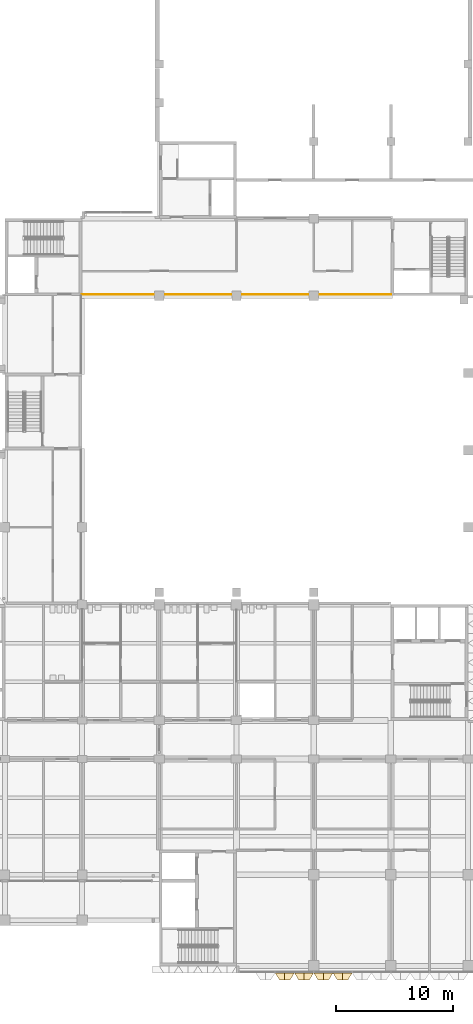
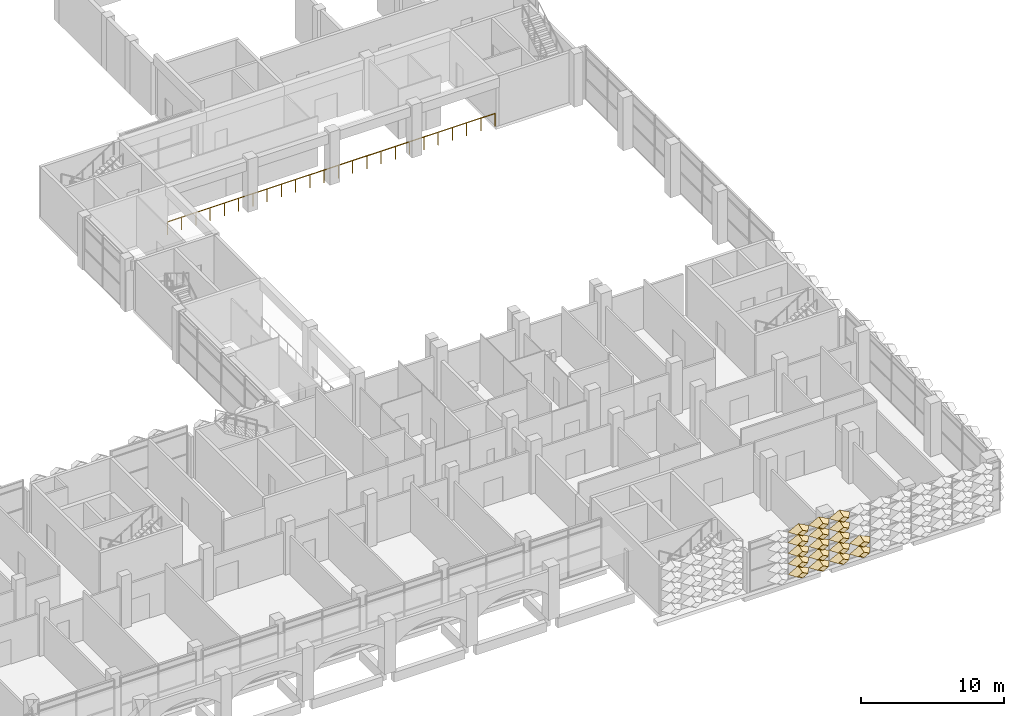
# One storey, part 58 of 87: 17 coverings, 1 railing.
"""IFC4 building model written with IfcOpenShell, lengths in metres."""

from ifc_helpers import new_model, entity, si_unit, direction, frame, origin, origin_2d, place, context, subcontext, project, spatial, circle, extrude, material, layer, layer_set, type_object, element, save


model = new_model("IFC4")

# Units and contexts
model_context = context("Model", 3, precision=1e-05, world=origin(), true_north=direction((0.0, 1.0)))
body_context = subcontext(model_context, "Body", "Model", "MODEL_VIEW")
ifc_project = project(units=[si_unit("LENGTHUNIT", "METRE"), si_unit("AREAUNIT", "SQUARE_METRE"), si_unit("VOLUMEUNIT", "CUBIC_METRE"), si_unit("PLANEANGLEUNIT", "RADIAN"), si_unit("MASSUNIT", "GRAM", prefix="KILO")], contexts=[model_context])

# Site, building, storey
site_placement = place(None, origin())
site = spatial("IfcSite", under=ifc_project, at=site_placement, CompositionType="ELEMENT")
building_placement = place(site_placement, origin())
building = spatial("IfcBuilding", under=site, at=building_placement, Name="Lantern Court Research Institute", CompositionType="ELEMENT")
storey_placement = place(building_placement, frame((0.0, 0.0, 5.39990234375)))
storey = spatial("IfcBuildingStorey", under=building, at=storey_placement, Name="L01", CompositionType="ELEMENT", Elevation=5.39990234375)

# Coverings
ifc_material_1 = material(Name="Anodised aluminium", Category="aluminium")
ifc_layer = layer(ifc_material_1, 0.01611328125)
ifc_layer_set = layer_set([ifc_layer], Name="Anodised aluminium")
covering_type = type_object("IfcCoveringType", Name="Fin cassette 1650 x 900 x 600 aluminium", PredefinedType="CLADDING", material=ifc_layer_set)
covering_1_placement = place(storey_placement, frame((63.52490234375, -8.39990234375, 0.4501953125), z_axis=(0.0, -1.0, 0.0), x_axis=(1.0, 0.0, 0.0)))
cartesian_point_1 = entity("IfcCartesianPoint", [0.824951171875, 0.0])
cartesian_point_2 = entity("IfcCartesianPoint", [0.79150390625, 0.0])
cartesian_point_3 = entity("IfcCartesianPoint", [0.44189453125, 0.0])
cartesian_point_4 = entity("IfcCartesianPoint", [0.43359375, 0.0])
element("IfcCovering", 1, at=covering_1_placement, inside=storey, type_object=covering_type, Name="Fin cassette V5S-L01 1.39", PredefinedType="CLADDING", context=body_context, shape_type="SweptSolid", body=[
    entity("IfcExtrudedAreaSolidTapered", entity("IfcArbitraryProfileDefWithVoids", "AREA", None, entity("IfcPolyline", [cartesian_point_1, entity("IfcCartesianPoint", [0.0, 0.449951171875]), entity("IfcCartesianPoint", [-0.824951171875, 0.0]), entity("IfcCartesianPoint", [0.0, -0.449951171875]), cartesian_point_1]), [entity("IfcPolyline", [cartesian_point_2, entity("IfcCartesianPoint", [0.0, 0.431884765625]), entity("IfcCartesianPoint", [-0.79150390625, 0.0]), entity("IfcCartesianPoint", [0.0, -0.431884765625]), cartesian_point_2])]), entity("IfcAxis2Placement3D", entity("IfcCartesianPoint", [0.0, 0.0, 0.0])), entity("IfcDirection", [0.0, 0.0, 1.0]), 0.60009765625, entity("IfcArbitraryProfileDefWithVoids", "AREA", None, entity("IfcPolyline", [cartesian_point_3, entity("IfcCartesianPoint", [0.0, 0.240966796875]), entity("IfcCartesianPoint", [-0.44189453125, 0.0]), entity("IfcCartesianPoint", [0.0, -0.240966796875]), cartesian_point_3]), [entity("IfcPolyline", [cartesian_point_4, entity("IfcCartesianPoint", [0.0, 0.236572265625]), entity("IfcCartesianPoint", [-0.43359375, 0.0]), entity("IfcCartesianPoint", [0.0, -0.236572265625]), cartesian_point_4])])),
])
covering_2_placement = place(storey_placement, frame((65.175048828125, -8.39990234375, 0.4501953125), z_axis=(0.0, -1.0, 0.0), x_axis=(1.0, 0.0, 0.0)))
cartesian_point_5 = entity("IfcCartesianPoint", [0.824951171875, 0.0])
cartesian_point_6 = entity("IfcCartesianPoint", [0.79150390625, 0.0])
cartesian_point_7 = entity("IfcCartesianPoint", [0.44189453125, 0.0])
cartesian_point_8 = entity("IfcCartesianPoint", [0.43359375, 0.0])
element("IfcCovering", 2, at=covering_2_placement, inside=storey, type_object=covering_type, Name="Fin cassette V5S-L01 1.40", PredefinedType="CLADDING", context=body_context, shape_type="SweptSolid", body=[
    entity("IfcExtrudedAreaSolidTapered", entity("IfcArbitraryProfileDefWithVoids", "AREA", None, entity("IfcPolyline", [cartesian_point_5, entity("IfcCartesianPoint", [0.0, 0.449951171875]), entity("IfcCartesianPoint", [-0.824951171875, 0.0]), entity("IfcCartesianPoint", [0.0, -0.449951171875]), cartesian_point_5]), [entity("IfcPolyline", [cartesian_point_6, entity("IfcCartesianPoint", [0.0, 0.431884765625]), entity("IfcCartesianPoint", [-0.79150390625, 0.0]), entity("IfcCartesianPoint", [0.0, -0.431884765625]), cartesian_point_6])]), entity("IfcAxis2Placement3D", entity("IfcCartesianPoint", [0.0, 0.0, 0.0])), entity("IfcDirection", [0.0, 0.0, 1.0]), 0.60009765625, entity("IfcArbitraryProfileDefWithVoids", "AREA", None, entity("IfcPolyline", [cartesian_point_7, entity("IfcCartesianPoint", [0.0, 0.240966796875]), entity("IfcCartesianPoint", [-0.44189453125, 0.0]), entity("IfcCartesianPoint", [0.0, -0.240966796875]), cartesian_point_7]), [entity("IfcPolyline", [cartesian_point_8, entity("IfcCartesianPoint", [0.0, 0.236572265625]), entity("IfcCartesianPoint", [-0.43359375, 0.0]), entity("IfcCartesianPoint", [0.0, -0.236572265625]), cartesian_point_8])])),
])
covering_3_placement = place(storey_placement, frame((66.824951171875, -8.39990234375, 0.4501953125), z_axis=(0.0, -1.0, 0.0), x_axis=(1.0, 0.0, 0.0)))
cartesian_point_9 = entity("IfcCartesianPoint", [0.824951171875, 0.0])
cartesian_point_10 = entity("IfcCartesianPoint", [0.79150390625, 0.0])
cartesian_point_11 = entity("IfcCartesianPoint", [0.44189453125, 0.0])
cartesian_point_12 = entity("IfcCartesianPoint", [0.43359375, 0.0])
element("IfcCovering", 3, at=covering_3_placement, inside=storey, type_object=covering_type, Name="Fin cassette V5S-L01 1.41", PredefinedType="CLADDING", context=body_context, shape_type="SweptSolid", body=[
    entity("IfcExtrudedAreaSolidTapered", entity("IfcArbitraryProfileDefWithVoids", "AREA", None, entity("IfcPolyline", [cartesian_point_9, entity("IfcCartesianPoint", [0.0, 0.449951171875]), entity("IfcCartesianPoint", [-0.824951171875, 0.0]), entity("IfcCartesianPoint", [0.0, -0.449951171875]), cartesian_point_9]), [entity("IfcPolyline", [cartesian_point_10, entity("IfcCartesianPoint", [0.0, 0.431884765625]), entity("IfcCartesianPoint", [-0.79150390625, 0.0]), entity("IfcCartesianPoint", [0.0, -0.431884765625]), cartesian_point_10])]), entity("IfcAxis2Placement3D", entity("IfcCartesianPoint", [0.0, 0.0, 0.0])), entity("IfcDirection", [0.0, 0.0, 1.0]), 0.60009765625, entity("IfcArbitraryProfileDefWithVoids", "AREA", None, entity("IfcPolyline", [cartesian_point_11, entity("IfcCartesianPoint", [0.0, 0.240966796875]), entity("IfcCartesianPoint", [-0.44189453125, 0.0]), entity("IfcCartesianPoint", [0.0, -0.240966796875]), cartesian_point_11]), [entity("IfcPolyline", [cartesian_point_12, entity("IfcCartesianPoint", [0.0, 0.236572265625]), entity("IfcCartesianPoint", [-0.43359375, 0.0]), entity("IfcCartesianPoint", [0.0, -0.236572265625]), cartesian_point_12])])),
])
covering_4_placement = place(storey_placement, frame((68.47509765625, -8.39990234375, 0.4501953125), z_axis=(0.0, -1.0, 0.0), x_axis=(1.0, 0.0, 0.0)))
cartesian_point_13 = entity("IfcCartesianPoint", [0.824951171875, 0.0])
cartesian_point_14 = entity("IfcCartesianPoint", [0.79150390625, 0.0])
cartesian_point_15 = entity("IfcCartesianPoint", [0.44189453125, 0.0])
cartesian_point_16 = entity("IfcCartesianPoint", [0.43359375, 0.0])
element("IfcCovering", 4, at=covering_4_placement, inside=storey, type_object=covering_type, Name="Fin cassette V5S-L01 1.42", PredefinedType="CLADDING", context=body_context, shape_type="SweptSolid", body=[
    entity("IfcExtrudedAreaSolidTapered", entity("IfcArbitraryProfileDefWithVoids", "AREA", None, entity("IfcPolyline", [cartesian_point_13, entity("IfcCartesianPoint", [0.0, 0.449951171875]), entity("IfcCartesianPoint", [-0.824951171875, 0.0]), entity("IfcCartesianPoint", [0.0, -0.449951171875]), cartesian_point_13]), [entity("IfcPolyline", [cartesian_point_14, entity("IfcCartesianPoint", [0.0, 0.431884765625]), entity("IfcCartesianPoint", [-0.79150390625, 0.0]), entity("IfcCartesianPoint", [0.0, -0.431884765625]), cartesian_point_14])]), entity("IfcAxis2Placement3D", entity("IfcCartesianPoint", [0.0, 0.0, 0.0])), entity("IfcDirection", [0.0, 0.0, 1.0]), 0.60009765625, entity("IfcArbitraryProfileDefWithVoids", "AREA", None, entity("IfcPolyline", [cartesian_point_15, entity("IfcCartesianPoint", [0.0, 0.240966796875]), entity("IfcCartesianPoint", [-0.44189453125, 0.0]), entity("IfcCartesianPoint", [0.0, -0.240966796875]), cartesian_point_15]), [entity("IfcPolyline", [cartesian_point_16, entity("IfcCartesianPoint", [0.0, 0.236572265625]), entity("IfcCartesianPoint", [-0.43359375, 0.0]), entity("IfcCartesianPoint", [0.0, -0.236572265625]), cartesian_point_16])])),
])
covering_5_placement = place(storey_placement, frame((63.52490234375, -8.39990234375, 1.35009765625), z_axis=(0.0, -1.0, 0.0), x_axis=(1.0, 0.0, 0.0)))
cartesian_point_17 = entity("IfcCartesianPoint", [0.824951171875, 0.0])
cartesian_point_18 = entity("IfcCartesianPoint", [0.79150390625, 0.0])
cartesian_point_19 = entity("IfcCartesianPoint", [0.44189453125, 0.0])
cartesian_point_20 = entity("IfcCartesianPoint", [0.43359375, 0.0])
element("IfcCovering", 5, at=covering_5_placement, inside=storey, type_object=covering_type, Name="Fin cassette V5S-L01 2.39", PredefinedType="CLADDING", context=body_context, shape_type="SweptSolid", body=[
    entity("IfcExtrudedAreaSolidTapered", entity("IfcArbitraryProfileDefWithVoids", "AREA", None, entity("IfcPolyline", [cartesian_point_17, entity("IfcCartesianPoint", [0.0, 0.449951171875]), entity("IfcCartesianPoint", [-0.824951171875, 0.0]), entity("IfcCartesianPoint", [0.0, -0.449951171875]), cartesian_point_17]), [entity("IfcPolyline", [cartesian_point_18, entity("IfcCartesianPoint", [0.0, 0.431884765625]), entity("IfcCartesianPoint", [-0.79150390625, 0.0]), entity("IfcCartesianPoint", [0.0, -0.431884765625]), cartesian_point_18])]), entity("IfcAxis2Placement3D", entity("IfcCartesianPoint", [0.0, 0.0, 0.0])), entity("IfcDirection", [0.0, 0.0, 1.0]), 0.60009765625, entity("IfcArbitraryProfileDefWithVoids", "AREA", None, entity("IfcPolyline", [cartesian_point_19, entity("IfcCartesianPoint", [0.0, 0.240966796875]), entity("IfcCartesianPoint", [-0.44189453125, 0.0]), entity("IfcCartesianPoint", [0.0, -0.240966796875]), cartesian_point_19]), [entity("IfcPolyline", [cartesian_point_20, entity("IfcCartesianPoint", [0.0, 0.236572265625]), entity("IfcCartesianPoint", [-0.43359375, 0.0]), entity("IfcCartesianPoint", [0.0, -0.236572265625]), cartesian_point_20])])),
])
covering_6_placement = place(storey_placement, frame((65.175048828125, -8.39990234375, 1.35009765625), z_axis=(0.0, -1.0, 0.0), x_axis=(1.0, 0.0, 0.0)))
cartesian_point_21 = entity("IfcCartesianPoint", [0.824951171875, 0.0])
cartesian_point_22 = entity("IfcCartesianPoint", [0.79150390625, 0.0])
cartesian_point_23 = entity("IfcCartesianPoint", [0.44189453125, 0.0])
cartesian_point_24 = entity("IfcCartesianPoint", [0.43359375, 0.0])
element("IfcCovering", 6, at=covering_6_placement, inside=storey, type_object=covering_type, Name="Fin cassette V5S-L01 2.40", PredefinedType="CLADDING", context=body_context, shape_type="SweptSolid", body=[
    entity("IfcExtrudedAreaSolidTapered", entity("IfcArbitraryProfileDefWithVoids", "AREA", None, entity("IfcPolyline", [cartesian_point_21, entity("IfcCartesianPoint", [0.0, 0.449951171875]), entity("IfcCartesianPoint", [-0.824951171875, 0.0]), entity("IfcCartesianPoint", [0.0, -0.449951171875]), cartesian_point_21]), [entity("IfcPolyline", [cartesian_point_22, entity("IfcCartesianPoint", [0.0, 0.431884765625]), entity("IfcCartesianPoint", [-0.79150390625, 0.0]), entity("IfcCartesianPoint", [0.0, -0.431884765625]), cartesian_point_22])]), entity("IfcAxis2Placement3D", entity("IfcCartesianPoint", [0.0, 0.0, 0.0])), entity("IfcDirection", [0.0, 0.0, 1.0]), 0.60009765625, entity("IfcArbitraryProfileDefWithVoids", "AREA", None, entity("IfcPolyline", [cartesian_point_23, entity("IfcCartesianPoint", [0.0, 0.240966796875]), entity("IfcCartesianPoint", [-0.44189453125, 0.0]), entity("IfcCartesianPoint", [0.0, -0.240966796875]), cartesian_point_23]), [entity("IfcPolyline", [cartesian_point_24, entity("IfcCartesianPoint", [0.0, 0.236572265625]), entity("IfcCartesianPoint", [-0.43359375, 0.0]), entity("IfcCartesianPoint", [0.0, -0.236572265625]), cartesian_point_24])])),
])
covering_7_placement = place(storey_placement, frame((66.824951171875, -8.39990234375, 1.35009765625), z_axis=(0.0, -1.0, 0.0), x_axis=(1.0, 0.0, 0.0)))
cartesian_point_25 = entity("IfcCartesianPoint", [0.824951171875, 0.0])
cartesian_point_26 = entity("IfcCartesianPoint", [0.79150390625, 0.0])
cartesian_point_27 = entity("IfcCartesianPoint", [0.44189453125, 0.0])
cartesian_point_28 = entity("IfcCartesianPoint", [0.43359375, 0.0])
element("IfcCovering", 7, at=covering_7_placement, inside=storey, type_object=covering_type, Name="Fin cassette V5S-L01 2.41", PredefinedType="CLADDING", context=body_context, shape_type="SweptSolid", body=[
    entity("IfcExtrudedAreaSolidTapered", entity("IfcArbitraryProfileDefWithVoids", "AREA", None, entity("IfcPolyline", [cartesian_point_25, entity("IfcCartesianPoint", [0.0, 0.449951171875]), entity("IfcCartesianPoint", [-0.824951171875, 0.0]), entity("IfcCartesianPoint", [0.0, -0.449951171875]), cartesian_point_25]), [entity("IfcPolyline", [cartesian_point_26, entity("IfcCartesianPoint", [0.0, 0.431884765625]), entity("IfcCartesianPoint", [-0.79150390625, 0.0]), entity("IfcCartesianPoint", [0.0, -0.431884765625]), cartesian_point_26])]), entity("IfcAxis2Placement3D", entity("IfcCartesianPoint", [0.0, 0.0, 0.0])), entity("IfcDirection", [0.0, 0.0, 1.0]), 0.60009765625, entity("IfcArbitraryProfileDefWithVoids", "AREA", None, entity("IfcPolyline", [cartesian_point_27, entity("IfcCartesianPoint", [0.0, 0.240966796875]), entity("IfcCartesianPoint", [-0.44189453125, 0.0]), entity("IfcCartesianPoint", [0.0, -0.240966796875]), cartesian_point_27]), [entity("IfcPolyline", [cartesian_point_28, entity("IfcCartesianPoint", [0.0, 0.236572265625]), entity("IfcCartesianPoint", [-0.43359375, 0.0]), entity("IfcCartesianPoint", [0.0, -0.236572265625]), cartesian_point_28])])),
])
covering_8_placement = place(storey_placement, frame((68.47509765625, -8.39990234375, 1.35009765625), z_axis=(0.0, -1.0, 0.0), x_axis=(1.0, 0.0, 0.0)))
cartesian_point_29 = entity("IfcCartesianPoint", [0.824951171875, 0.0])
cartesian_point_30 = entity("IfcCartesianPoint", [0.79150390625, 0.0])
cartesian_point_31 = entity("IfcCartesianPoint", [0.44189453125, 0.0])
cartesian_point_32 = entity("IfcCartesianPoint", [0.43359375, 0.0])
element("IfcCovering", 8, at=covering_8_placement, inside=storey, type_object=covering_type, Name="Fin cassette V5S-L01 2.42", PredefinedType="CLADDING", context=body_context, shape_type="SweptSolid", body=[
    entity("IfcExtrudedAreaSolidTapered", entity("IfcArbitraryProfileDefWithVoids", "AREA", None, entity("IfcPolyline", [cartesian_point_29, entity("IfcCartesianPoint", [0.0, 0.449951171875]), entity("IfcCartesianPoint", [-0.824951171875, 0.0]), entity("IfcCartesianPoint", [0.0, -0.449951171875]), cartesian_point_29]), [entity("IfcPolyline", [cartesian_point_30, entity("IfcCartesianPoint", [0.0, 0.431884765625]), entity("IfcCartesianPoint", [-0.79150390625, 0.0]), entity("IfcCartesianPoint", [0.0, -0.431884765625]), cartesian_point_30])]), entity("IfcAxis2Placement3D", entity("IfcCartesianPoint", [0.0, 0.0, 0.0])), entity("IfcDirection", [0.0, 0.0, 1.0]), 0.60009765625, entity("IfcArbitraryProfileDefWithVoids", "AREA", None, entity("IfcPolyline", [cartesian_point_31, entity("IfcCartesianPoint", [0.0, 0.240966796875]), entity("IfcCartesianPoint", [-0.44189453125, 0.0]), entity("IfcCartesianPoint", [0.0, -0.240966796875]), cartesian_point_31]), [entity("IfcPolyline", [cartesian_point_32, entity("IfcCartesianPoint", [0.0, 0.236572265625]), entity("IfcCartesianPoint", [-0.43359375, 0.0]), entity("IfcCartesianPoint", [0.0, -0.236572265625]), cartesian_point_32])])),
])
covering_9_placement = place(storey_placement, frame((63.52490234375, -8.39990234375, 2.25), z_axis=(0.0, -1.0, 0.0), x_axis=(1.0, 0.0, 0.0)))
cartesian_point_33 = entity("IfcCartesianPoint", [0.824951171875, 0.0])
cartesian_point_34 = entity("IfcCartesianPoint", [0.79150390625, 0.0])
cartesian_point_35 = entity("IfcCartesianPoint", [0.44189453125, 0.0])
cartesian_point_36 = entity("IfcCartesianPoint", [0.43359375, 0.0])
element("IfcCovering", 9, at=covering_9_placement, inside=storey, type_object=covering_type, Name="Fin cassette V5S-L01 3.39", PredefinedType="CLADDING", context=body_context, shape_type="SweptSolid", body=[
    entity("IfcExtrudedAreaSolidTapered", entity("IfcArbitraryProfileDefWithVoids", "AREA", None, entity("IfcPolyline", [cartesian_point_33, entity("IfcCartesianPoint", [0.0, 0.449951171875]), entity("IfcCartesianPoint", [-0.824951171875, 0.0]), entity("IfcCartesianPoint", [0.0, -0.449951171875]), cartesian_point_33]), [entity("IfcPolyline", [cartesian_point_34, entity("IfcCartesianPoint", [0.0, 0.431884765625]), entity("IfcCartesianPoint", [-0.79150390625, 0.0]), entity("IfcCartesianPoint", [0.0, -0.431884765625]), cartesian_point_34])]), entity("IfcAxis2Placement3D", entity("IfcCartesianPoint", [0.0, 0.0, 0.0])), entity("IfcDirection", [0.0, 0.0, 1.0]), 0.60009765625, entity("IfcArbitraryProfileDefWithVoids", "AREA", None, entity("IfcPolyline", [cartesian_point_35, entity("IfcCartesianPoint", [0.0, 0.240966796875]), entity("IfcCartesianPoint", [-0.44189453125, 0.0]), entity("IfcCartesianPoint", [0.0, -0.240966796875]), cartesian_point_35]), [entity("IfcPolyline", [cartesian_point_36, entity("IfcCartesianPoint", [0.0, 0.236572265625]), entity("IfcCartesianPoint", [-0.43359375, 0.0]), entity("IfcCartesianPoint", [0.0, -0.236572265625]), cartesian_point_36])])),
])
covering_10_placement = place(storey_placement, frame((65.175048828125, -8.39990234375, 2.25), z_axis=(0.0, -1.0, 0.0), x_axis=(1.0, 0.0, 0.0)))
cartesian_point_37 = entity("IfcCartesianPoint", [0.824951171875, 0.0])
cartesian_point_38 = entity("IfcCartesianPoint", [0.79150390625, 0.0])
cartesian_point_39 = entity("IfcCartesianPoint", [0.44189453125, 0.0])
cartesian_point_40 = entity("IfcCartesianPoint", [0.43359375, 0.0])
element("IfcCovering", 10, at=covering_10_placement, inside=storey, type_object=covering_type, Name="Fin cassette V5S-L01 3.40", PredefinedType="CLADDING", context=body_context, shape_type="SweptSolid", body=[
    entity("IfcExtrudedAreaSolidTapered", entity("IfcArbitraryProfileDefWithVoids", "AREA", None, entity("IfcPolyline", [cartesian_point_37, entity("IfcCartesianPoint", [0.0, 0.449951171875]), entity("IfcCartesianPoint", [-0.824951171875, 0.0]), entity("IfcCartesianPoint", [0.0, -0.449951171875]), cartesian_point_37]), [entity("IfcPolyline", [cartesian_point_38, entity("IfcCartesianPoint", [0.0, 0.431884765625]), entity("IfcCartesianPoint", [-0.79150390625, 0.0]), entity("IfcCartesianPoint", [0.0, -0.431884765625]), cartesian_point_38])]), entity("IfcAxis2Placement3D", entity("IfcCartesianPoint", [0.0, 0.0, 0.0])), entity("IfcDirection", [0.0, 0.0, 1.0]), 0.60009765625, entity("IfcArbitraryProfileDefWithVoids", "AREA", None, entity("IfcPolyline", [cartesian_point_39, entity("IfcCartesianPoint", [0.0, 0.240966796875]), entity("IfcCartesianPoint", [-0.44189453125, 0.0]), entity("IfcCartesianPoint", [0.0, -0.240966796875]), cartesian_point_39]), [entity("IfcPolyline", [cartesian_point_40, entity("IfcCartesianPoint", [0.0, 0.236572265625]), entity("IfcCartesianPoint", [-0.43359375, 0.0]), entity("IfcCartesianPoint", [0.0, -0.236572265625]), cartesian_point_40])])),
])
covering_11_placement = place(storey_placement, frame((66.824951171875, -8.39990234375, 2.25), z_axis=(0.0, -1.0, 0.0), x_axis=(1.0, 0.0, 0.0)))
cartesian_point_41 = entity("IfcCartesianPoint", [0.824951171875, 0.0])
cartesian_point_42 = entity("IfcCartesianPoint", [0.79150390625, 0.0])
cartesian_point_43 = entity("IfcCartesianPoint", [0.44189453125, 0.0])
cartesian_point_44 = entity("IfcCartesianPoint", [0.43359375, 0.0])
element("IfcCovering", 11, at=covering_11_placement, inside=storey, type_object=covering_type, Name="Fin cassette V5S-L01 3.41", PredefinedType="CLADDING", context=body_context, shape_type="SweptSolid", body=[
    entity("IfcExtrudedAreaSolidTapered", entity("IfcArbitraryProfileDefWithVoids", "AREA", None, entity("IfcPolyline", [cartesian_point_41, entity("IfcCartesianPoint", [0.0, 0.449951171875]), entity("IfcCartesianPoint", [-0.824951171875, 0.0]), entity("IfcCartesianPoint", [0.0, -0.449951171875]), cartesian_point_41]), [entity("IfcPolyline", [cartesian_point_42, entity("IfcCartesianPoint", [0.0, 0.431884765625]), entity("IfcCartesianPoint", [-0.79150390625, 0.0]), entity("IfcCartesianPoint", [0.0, -0.431884765625]), cartesian_point_42])]), entity("IfcAxis2Placement3D", entity("IfcCartesianPoint", [0.0, 0.0, 0.0])), entity("IfcDirection", [0.0, 0.0, 1.0]), 0.60009765625, entity("IfcArbitraryProfileDefWithVoids", "AREA", None, entity("IfcPolyline", [cartesian_point_43, entity("IfcCartesianPoint", [0.0, 0.240966796875]), entity("IfcCartesianPoint", [-0.44189453125, 0.0]), entity("IfcCartesianPoint", [0.0, -0.240966796875]), cartesian_point_43]), [entity("IfcPolyline", [cartesian_point_44, entity("IfcCartesianPoint", [0.0, 0.236572265625]), entity("IfcCartesianPoint", [-0.43359375, 0.0]), entity("IfcCartesianPoint", [0.0, -0.236572265625]), cartesian_point_44])])),
])
covering_12_placement = place(storey_placement, frame((63.52490234375, -8.39990234375, 3.150146484375), z_axis=(0.0, -1.0, 0.0), x_axis=(1.0, 0.0, 0.0)))
cartesian_point_45 = entity("IfcCartesianPoint", [0.824951171875, 0.0])
cartesian_point_46 = entity("IfcCartesianPoint", [0.79150390625, 0.0])
cartesian_point_47 = entity("IfcCartesianPoint", [0.44189453125, 0.0])
cartesian_point_48 = entity("IfcCartesianPoint", [0.43359375, 0.0])
element("IfcCovering", 12, at=covering_12_placement, inside=storey, type_object=covering_type, Name="Fin cassette V5S-L01 4.39", PredefinedType="CLADDING", context=body_context, shape_type="SweptSolid", body=[
    entity("IfcExtrudedAreaSolidTapered", entity("IfcArbitraryProfileDefWithVoids", "AREA", None, entity("IfcPolyline", [cartesian_point_45, entity("IfcCartesianPoint", [0.0, 0.449951171875]), entity("IfcCartesianPoint", [-0.824951171875, 0.0]), entity("IfcCartesianPoint", [0.0, -0.449951171875]), cartesian_point_45]), [entity("IfcPolyline", [cartesian_point_46, entity("IfcCartesianPoint", [0.0, 0.431884765625]), entity("IfcCartesianPoint", [-0.79150390625, 0.0]), entity("IfcCartesianPoint", [0.0, -0.431884765625]), cartesian_point_46])]), entity("IfcAxis2Placement3D", entity("IfcCartesianPoint", [0.0, 0.0, 0.0])), entity("IfcDirection", [0.0, 0.0, 1.0]), 0.60009765625, entity("IfcArbitraryProfileDefWithVoids", "AREA", None, entity("IfcPolyline", [cartesian_point_47, entity("IfcCartesianPoint", [0.0, 0.240966796875]), entity("IfcCartesianPoint", [-0.44189453125, 0.0]), entity("IfcCartesianPoint", [0.0, -0.240966796875]), cartesian_point_47]), [entity("IfcPolyline", [cartesian_point_48, entity("IfcCartesianPoint", [0.0, 0.236572265625]), entity("IfcCartesianPoint", [-0.43359375, 0.0]), entity("IfcCartesianPoint", [0.0, -0.236572265625]), cartesian_point_48])])),
])
covering_13_placement = place(storey_placement, frame((65.175048828125, -8.39990234375, 3.150146484375), z_axis=(0.0, -1.0, 0.0), x_axis=(1.0, 0.0, 0.0)))
cartesian_point_49 = entity("IfcCartesianPoint", [0.824951171875, 0.0])
cartesian_point_50 = entity("IfcCartesianPoint", [0.79150390625, 0.0])
cartesian_point_51 = entity("IfcCartesianPoint", [0.44189453125, 0.0])
cartesian_point_52 = entity("IfcCartesianPoint", [0.43359375, 0.0])
element("IfcCovering", 13, at=covering_13_placement, inside=storey, type_object=covering_type, Name="Fin cassette V5S-L01 4.40", PredefinedType="CLADDING", context=body_context, shape_type="SweptSolid", body=[
    entity("IfcExtrudedAreaSolidTapered", entity("IfcArbitraryProfileDefWithVoids", "AREA", None, entity("IfcPolyline", [cartesian_point_49, entity("IfcCartesianPoint", [0.0, 0.449951171875]), entity("IfcCartesianPoint", [-0.824951171875, 0.0]), entity("IfcCartesianPoint", [0.0, -0.449951171875]), cartesian_point_49]), [entity("IfcPolyline", [cartesian_point_50, entity("IfcCartesianPoint", [0.0, 0.431884765625]), entity("IfcCartesianPoint", [-0.79150390625, 0.0]), entity("IfcCartesianPoint", [0.0, -0.431884765625]), cartesian_point_50])]), entity("IfcAxis2Placement3D", entity("IfcCartesianPoint", [0.0, 0.0, 0.0])), entity("IfcDirection", [0.0, 0.0, 1.0]), 0.60009765625, entity("IfcArbitraryProfileDefWithVoids", "AREA", None, entity("IfcPolyline", [cartesian_point_51, entity("IfcCartesianPoint", [0.0, 0.240966796875]), entity("IfcCartesianPoint", [-0.44189453125, 0.0]), entity("IfcCartesianPoint", [0.0, -0.240966796875]), cartesian_point_51]), [entity("IfcPolyline", [cartesian_point_52, entity("IfcCartesianPoint", [0.0, 0.236572265625]), entity("IfcCartesianPoint", [-0.43359375, 0.0]), entity("IfcCartesianPoint", [0.0, -0.236572265625]), cartesian_point_52])])),
])
covering_14_placement = place(storey_placement, frame((66.824951171875, -8.39990234375, 3.150146484375), z_axis=(0.0, -1.0, 0.0), x_axis=(1.0, 0.0, 0.0)))
cartesian_point_53 = entity("IfcCartesianPoint", [0.824951171875, 0.0])
cartesian_point_54 = entity("IfcCartesianPoint", [0.79150390625, 0.0])
cartesian_point_55 = entity("IfcCartesianPoint", [0.44189453125, 0.0])
cartesian_point_56 = entity("IfcCartesianPoint", [0.43359375, 0.0])
element("IfcCovering", 14, at=covering_14_placement, inside=storey, type_object=covering_type, Name="Fin cassette V5S-L01 4.41", PredefinedType="CLADDING", context=body_context, shape_type="SweptSolid", body=[
    entity("IfcExtrudedAreaSolidTapered", entity("IfcArbitraryProfileDefWithVoids", "AREA", None, entity("IfcPolyline", [cartesian_point_53, entity("IfcCartesianPoint", [0.0, 0.449951171875]), entity("IfcCartesianPoint", [-0.824951171875, 0.0]), entity("IfcCartesianPoint", [0.0, -0.449951171875]), cartesian_point_53]), [entity("IfcPolyline", [cartesian_point_54, entity("IfcCartesianPoint", [0.0, 0.431884765625]), entity("IfcCartesianPoint", [-0.79150390625, 0.0]), entity("IfcCartesianPoint", [0.0, -0.431884765625]), cartesian_point_54])]), entity("IfcAxis2Placement3D", entity("IfcCartesianPoint", [0.0, 0.0, 0.0])), entity("IfcDirection", [0.0, 0.0, 1.0]), 0.60009765625, entity("IfcArbitraryProfileDefWithVoids", "AREA", None, entity("IfcPolyline", [cartesian_point_55, entity("IfcCartesianPoint", [0.0, 0.240966796875]), entity("IfcCartesianPoint", [-0.44189453125, 0.0]), entity("IfcCartesianPoint", [0.0, -0.240966796875]), cartesian_point_55]), [entity("IfcPolyline", [cartesian_point_56, entity("IfcCartesianPoint", [0.0, 0.236572265625]), entity("IfcCartesianPoint", [-0.43359375, 0.0]), entity("IfcCartesianPoint", [0.0, -0.236572265625]), cartesian_point_56])])),
])
covering_15_placement = place(storey_placement, frame((63.52490234375, -8.39990234375, 4.050048828125), z_axis=(0.0, -1.0, 0.0), x_axis=(1.0, 0.0, 0.0)))
cartesian_point_57 = entity("IfcCartesianPoint", [0.824951171875, 0.0])
cartesian_point_58 = entity("IfcCartesianPoint", [0.79150390625, 0.0])
cartesian_point_59 = entity("IfcCartesianPoint", [0.44189453125, 0.0])
cartesian_point_60 = entity("IfcCartesianPoint", [0.43359375, 0.0])
element("IfcCovering", 15, at=covering_15_placement, inside=storey, type_object=covering_type, Name="Fin cassette V5S-L01 5.39", PredefinedType="CLADDING", context=body_context, shape_type="SweptSolid", body=[
    entity("IfcExtrudedAreaSolidTapered", entity("IfcArbitraryProfileDefWithVoids", "AREA", None, entity("IfcPolyline", [cartesian_point_57, entity("IfcCartesianPoint", [0.0, 0.449951171875]), entity("IfcCartesianPoint", [-0.824951171875, 0.0]), entity("IfcCartesianPoint", [0.0, -0.449951171875]), cartesian_point_57]), [entity("IfcPolyline", [cartesian_point_58, entity("IfcCartesianPoint", [0.0, 0.431884765625]), entity("IfcCartesianPoint", [-0.79150390625, 0.0]), entity("IfcCartesianPoint", [0.0, -0.431884765625]), cartesian_point_58])]), entity("IfcAxis2Placement3D", entity("IfcCartesianPoint", [0.0, 0.0, 0.0])), entity("IfcDirection", [0.0, 0.0, 1.0]), 0.60009765625, entity("IfcArbitraryProfileDefWithVoids", "AREA", None, entity("IfcPolyline", [cartesian_point_59, entity("IfcCartesianPoint", [0.0, 0.240966796875]), entity("IfcCartesianPoint", [-0.44189453125, 0.0]), entity("IfcCartesianPoint", [0.0, -0.240966796875]), cartesian_point_59]), [entity("IfcPolyline", [cartesian_point_60, entity("IfcCartesianPoint", [0.0, 0.236572265625]), entity("IfcCartesianPoint", [-0.43359375, 0.0]), entity("IfcCartesianPoint", [0.0, -0.236572265625]), cartesian_point_60])])),
])
covering_16_placement = place(storey_placement, frame((65.175048828125, -8.39990234375, 4.050048828125), z_axis=(0.0, -1.0, 0.0), x_axis=(1.0, 0.0, 0.0)))
cartesian_point_61 = entity("IfcCartesianPoint", [0.824951171875, 0.0])
cartesian_point_62 = entity("IfcCartesianPoint", [0.79150390625, 0.0])
cartesian_point_63 = entity("IfcCartesianPoint", [0.44189453125, 0.0])
cartesian_point_64 = entity("IfcCartesianPoint", [0.43359375, 0.0])
element("IfcCovering", 16, at=covering_16_placement, inside=storey, type_object=covering_type, Name="Fin cassette V5S-L01 5.40", PredefinedType="CLADDING", context=body_context, shape_type="SweptSolid", body=[
    entity("IfcExtrudedAreaSolidTapered", entity("IfcArbitraryProfileDefWithVoids", "AREA", None, entity("IfcPolyline", [cartesian_point_61, entity("IfcCartesianPoint", [0.0, 0.449951171875]), entity("IfcCartesianPoint", [-0.824951171875, 0.0]), entity("IfcCartesianPoint", [0.0, -0.449951171875]), cartesian_point_61]), [entity("IfcPolyline", [cartesian_point_62, entity("IfcCartesianPoint", [0.0, 0.431884765625]), entity("IfcCartesianPoint", [-0.79150390625, 0.0]), entity("IfcCartesianPoint", [0.0, -0.431884765625]), cartesian_point_62])]), entity("IfcAxis2Placement3D", entity("IfcCartesianPoint", [0.0, 0.0, 0.0])), entity("IfcDirection", [0.0, 0.0, 1.0]), 0.60009765625, entity("IfcArbitraryProfileDefWithVoids", "AREA", None, entity("IfcPolyline", [cartesian_point_63, entity("IfcCartesianPoint", [0.0, 0.240966796875]), entity("IfcCartesianPoint", [-0.44189453125, 0.0]), entity("IfcCartesianPoint", [0.0, -0.240966796875]), cartesian_point_63]), [entity("IfcPolyline", [cartesian_point_64, entity("IfcCartesianPoint", [0.0, 0.236572265625]), entity("IfcCartesianPoint", [-0.43359375, 0.0]), entity("IfcCartesianPoint", [0.0, -0.236572265625]), cartesian_point_64])])),
])
covering_17_placement = place(storey_placement, frame((66.824951171875, -8.39990234375, 4.050048828125), z_axis=(0.0, -1.0, 0.0), x_axis=(1.0, 0.0, 0.0)))
cartesian_point_65 = entity("IfcCartesianPoint", [0.824951171875, 0.0])
cartesian_point_66 = entity("IfcCartesianPoint", [0.79150390625, 0.0])
cartesian_point_67 = entity("IfcCartesianPoint", [0.44189453125, 0.0])
cartesian_point_68 = entity("IfcCartesianPoint", [0.43359375, 0.0])
element("IfcCovering", 17, at=covering_17_placement, inside=storey, type_object=covering_type, Name="Fin cassette V5S-L01 5.41", PredefinedType="CLADDING", context=body_context, shape_type="SweptSolid", body=[
    entity("IfcExtrudedAreaSolidTapered", entity("IfcArbitraryProfileDefWithVoids", "AREA", None, entity("IfcPolyline", [cartesian_point_65, entity("IfcCartesianPoint", [0.0, 0.449951171875]), entity("IfcCartesianPoint", [-0.824951171875, 0.0]), entity("IfcCartesianPoint", [0.0, -0.449951171875]), cartesian_point_65]), [entity("IfcPolyline", [cartesian_point_66, entity("IfcCartesianPoint", [0.0, 0.431884765625]), entity("IfcCartesianPoint", [-0.79150390625, 0.0]), entity("IfcCartesianPoint", [0.0, -0.431884765625]), cartesian_point_66])]), entity("IfcAxis2Placement3D", entity("IfcCartesianPoint", [0.0, 0.0, 0.0])), entity("IfcDirection", [0.0, 0.0, 1.0]), 0.60009765625, entity("IfcArbitraryProfileDefWithVoids", "AREA", None, entity("IfcPolyline", [cartesian_point_67, entity("IfcCartesianPoint", [0.0, 0.240966796875]), entity("IfcCartesianPoint", [-0.44189453125, 0.0]), entity("IfcCartesianPoint", [0.0, -0.240966796875]), cartesian_point_67]), [entity("IfcPolyline", [cartesian_point_68, entity("IfcCartesianPoint", [0.0, 0.236572265625]), entity("IfcCartesianPoint", [-0.43359375, 0.0]), entity("IfcCartesianPoint", [0.0, -0.236572265625]), cartesian_point_68])])),
])

# Railing
ifc_material_2 = material(Name="Structural steel S355", Category="steel")
railing_type = type_object("IfcRailingType", Name="Gallery guard 1100", PredefinedType="GUARDRAIL", material=ifc_material_2)
railing_placement = place(storey_placement, frame((46.199951171875, 49.60009765625, 0.0)))
element("IfcRailing", 18, at=railing_placement, inside=storey, type_object=railing_type, Name="Gallery guard L01", PredefinedType="GUARDRAIL", context=body_context, shape_type="SweptSolid", body=[
    extrude(circle(Radius=0.02490234375, at=origin_2d()), frame((0.0, 0.0, 1.0751953125), z_axis=(1.0, 0.0, 0.0), x_axis=(0.0, 1.0, 0.0)), (0.0, 0.0, 1.0), 26.400146484375),
    extrude(circle(Radius=0.02001953125, at=origin_2d()), origin(), (0.0, 0.0, 1.0), 1.050048828125),
    extrude(circle(Radius=0.02001953125, at=origin_2d()), frame((1.14794921875, 0.0, 0.0)), (0.0, 0.0, 1.0), 1.050048828125),
    extrude(circle(Radius=0.02001953125, at=origin_2d()), frame((2.295654296875, 0.0, 0.0)), (0.0, 0.0, 1.0), 1.050048828125),
    extrude(circle(Radius=0.02001953125, at=origin_2d()), frame((3.443603515625, 0.0, 0.0)), (0.0, 0.0, 1.0), 1.050048828125),
    extrude(circle(Radius=0.02001953125, at=origin_2d()), frame((4.59130859375, 0.0, 0.0)), (0.0, 0.0, 1.0), 1.050048828125),
    extrude(circle(Radius=0.02001953125, at=origin_2d()), frame((5.7392578125, 0.0, 0.0)), (0.0, 0.0, 1.0), 1.050048828125),
    extrude(circle(Radius=0.02001953125, at=origin_2d()), frame((6.886962890625, 0.0, 0.0)), (0.0, 0.0, 1.0), 1.050048828125),
    extrude(circle(Radius=0.02001953125, at=origin_2d()), frame((8.034912109375, 0.0, 0.0)), (0.0, 0.0, 1.0), 1.050048828125),
    extrude(circle(Radius=0.02001953125, at=origin_2d()), frame((9.1826171875, 0.0, 0.0)), (0.0, 0.0, 1.0), 1.050048828125),
    extrude(circle(Radius=0.02001953125, at=origin_2d()), frame((10.33056640625, 0.0, 0.0)), (0.0, 0.0, 1.0), 1.050048828125),
    extrude(circle(Radius=0.02001953125, at=origin_2d()), frame((11.478271484375, 0.0, 0.0)), (0.0, 0.0, 1.0), 1.050048828125),
    extrude(circle(Radius=0.02001953125, at=origin_2d()), frame((12.626220703125, 0.0, 0.0)), (0.0, 0.0, 1.0), 1.050048828125),
    extrude(circle(Radius=0.02001953125, at=origin_2d()), frame((13.77392578125, 0.0, 0.0)), (0.0, 0.0, 1.0), 1.050048828125),
    extrude(circle(Radius=0.02001953125, at=origin_2d()), frame((14.921875, 0.0, 0.0)), (0.0, 0.0, 1.0), 1.050048828125),
    extrude(circle(Radius=0.02001953125, at=origin_2d()), frame((16.069580078125, 0.0, 0.0)), (0.0, 0.0, 1.0), 1.050048828125),
    extrude(circle(Radius=0.02001953125, at=origin_2d()), frame((17.217529296875, 0.0, 0.0)), (0.0, 0.0, 1.0), 1.050048828125),
    extrude(circle(Radius=0.02001953125, at=origin_2d()), frame((18.365234375, 0.0, 0.0)), (0.0, 0.0, 1.0), 1.050048828125),
    extrude(circle(Radius=0.02001953125, at=origin_2d()), frame((19.51318359375, 0.0, 0.0)), (0.0, 0.0, 1.0), 1.050048828125),
    extrude(circle(Radius=0.02001953125, at=origin_2d()), frame((20.660888671875, 0.0, 0.0)), (0.0, 0.0, 1.0), 1.050048828125),
    extrude(circle(Radius=0.02001953125, at=origin_2d()), frame((21.808837890625, 0.0, 0.0)), (0.0, 0.0, 1.0), 1.050048828125),
    extrude(circle(Radius=0.02001953125, at=origin_2d()), frame((22.95654296875, 0.0, 0.0)), (0.0, 0.0, 1.0), 1.050048828125),
    extrude(circle(Radius=0.02001953125, at=origin_2d()), frame((24.1044921875, 0.0, 0.0)), (0.0, 0.0, 1.0), 1.050048828125),
    extrude(circle(Radius=0.02001953125, at=origin_2d()), frame((25.252197265625, 0.0, 0.0)), (0.0, 0.0, 1.0), 1.050048828125),
    extrude(circle(Radius=0.02001953125, at=origin_2d()), frame((26.400146484375, 0.0, 0.0)), (0.0, 0.0, 1.0), 1.050048828125),
])

save(model, "model.ifc")
